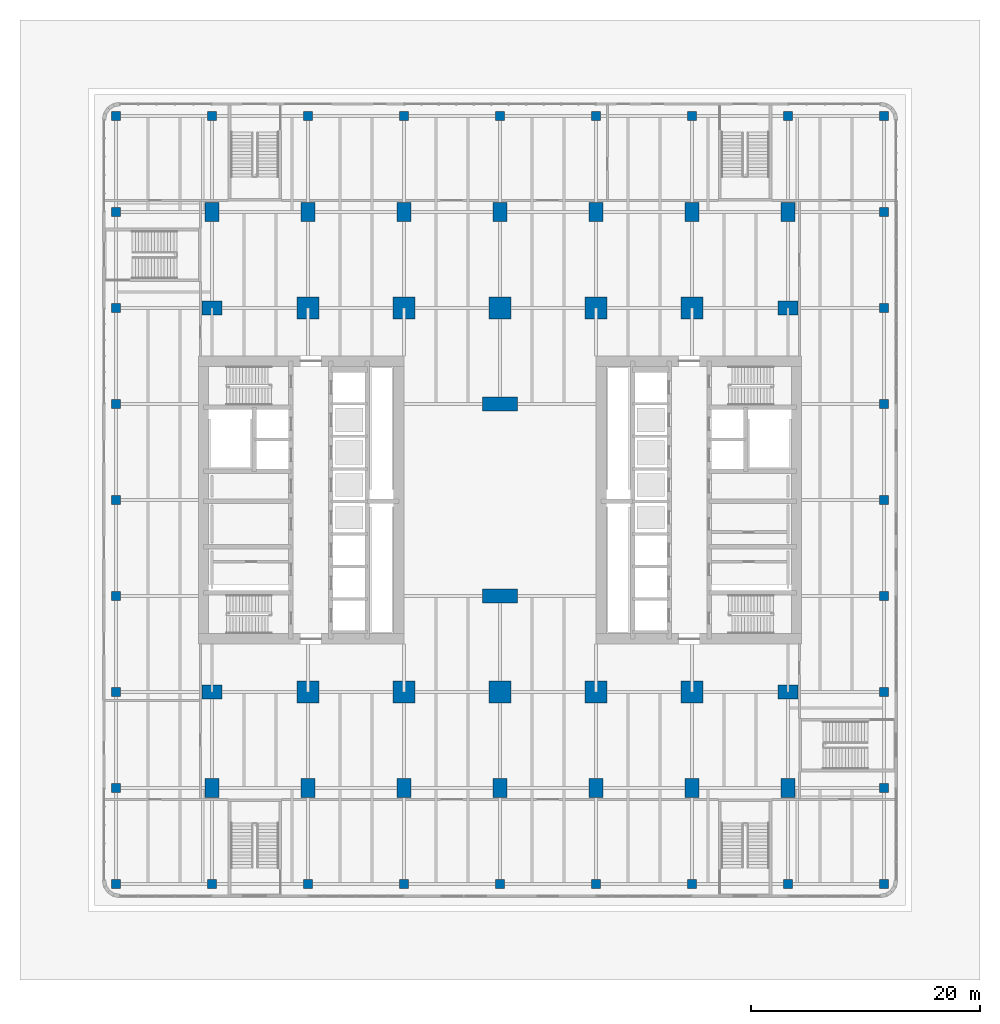
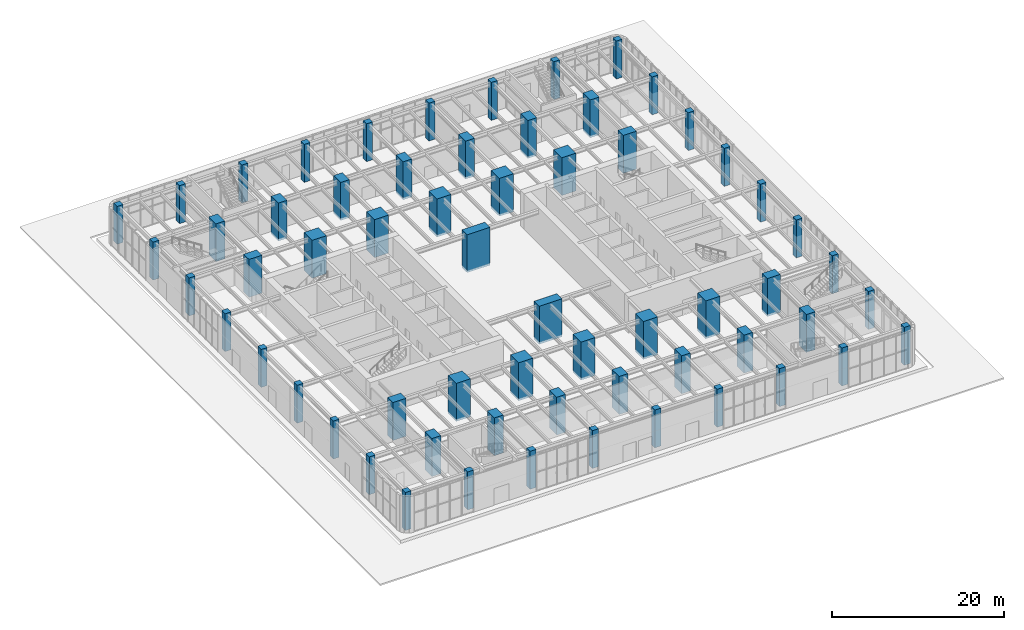
# One storey, part 1 of 31: 62 columns.
"""IFC4 building model written with IfcOpenShell, lengths in metres."""

from ifc_helpers import new_model, si_unit, direction, frame, origin, origin_2d, place, context, subcontext, project, spatial, rectangle, extrude, material, material_profile, profile_set, type_object, element, save


model = new_model("IFC4")

# Units and contexts
model_context = context("Model", 3, precision=1e-05, world=origin(), true_north=direction((0.0, 1.0)))
body_context = subcontext(model_context, "Body", "Model", "MODEL_VIEW")
ifc_project = project(units=[si_unit("LENGTHUNIT", "METRE"), si_unit("AREAUNIT", "SQUARE_METRE"), si_unit("VOLUMEUNIT", "CUBIC_METRE"), si_unit("PLANEANGLEUNIT", "RADIAN"), si_unit("MASSUNIT", "GRAM", prefix="KILO")], contexts=[model_context])

# Site, building, storey
site_placement = place(None, origin())
site = spatial("IfcSite", under=ifc_project, at=site_placement, CompositionType="ELEMENT")
building_placement = place(site_placement, origin())
building = spatial("IfcBuilding", under=site, at=building_placement, Name="Claustro Exchange Tower", CompositionType="ELEMENT")
storey_placement = place(building_placement, origin())
storey = spatial("IfcBuildingStorey", under=building, at=storey_placement, Name="L00", CompositionType="ELEMENT", Elevation=0.0)

# Columns
ifc_material_1 = material(Name="Concrete HA-70 (C70/85)", Category="concrete")
ifc_material_profile_1 = material_profile(ifc_material_1, rectangle(XDim=1.89990234375, YDim=1.89990234375, at=origin_2d()), Name="RC 1900x1900")
ifc_profile_set_1 = profile_set([ifc_material_profile_1], Name="Concrete HA-70 (C70/85)")
column_type_1 = type_object("IfcColumnType", Name="C13 RC 1900x1900 HA-70 column", PredefinedType="COLUMN", material=ifc_profile_set_1)
for number, where, z_axis, x_axis, name in (
    (1, (8.39990234375, 8.39990234375, 0.0), (0.0, 0.0, 1.0), (1.0, 0.0, 0.0), "Column C13 2/B L00"),
    (2, (8.39990234375, 42.0, 0.0), (0.0, 0.0, 1.0), (1.0, 0.0, 0.0), "Column C13 2/F L00"),
    (3, (16.800048828125, 8.39990234375, 0.0), (0.0, 0.0, 1.0), (1.0, 0.0, 0.0), "Column C13 3/B L00"),
    (4, (16.800048828125, 42.0, 0.0), (0.0, 0.0, 1.0), (1.0, 0.0, 0.0), "Column C13 3/F L00"),
    (5, (25.199951171875, 8.39990234375, 0.0), (0.0, 0.0, 1.0), (1.0, 0.0, 0.0), "Column C13 4/B L00"),
    (6, (25.199951171875, 42.0, 0.0), (0.0, 0.0, 1.0), (1.0, 0.0, 0.0), "Column C13 4/F L00"),
    (7, (33.60009765625, 8.39990234375, 0.0), (0.0, 0.0, 1.0), (1.0, 0.0, 0.0), "Column C13 5/B L00"),
    (8, (33.60009765625, 42.0, 0.0), (0.0, 0.0, 1.0), (1.0, 0.0, 0.0), "Column C13 5/F L00"),
    (9, (42.0, 8.39990234375, 0.0), (0.0, 0.0, 1.0), (1.0, 0.0, 0.0), "Column C13 6/B L00"),
    (10, (42.0, 42.0, 0.0), (0.0, 0.0, 1.0), (1.0, 0.0, 0.0), "Column C13 6/F L00"),
):
    element("IfcColumn", number, at=place(storey_placement, frame(where, z_axis=z_axis, x_axis=x_axis)), inside=storey, type_object=column_type_1, Name=name, PredefinedType="COLUMN", context=body_context, shape_type="SweptSolid", body=[
        extrude(rectangle(XDim=1.89990234375, YDim=1.89990234375, at=origin_2d()), origin(), (0.0, 0.0, 1.0), 5.39990234375),
    ])
ifc_material_2 = material(Name="Concrete HA-70 (C70/85)", Category="concrete")
ifc_material_profile_2 = material_profile(ifc_material_2, rectangle(XDim=1.199951171875, YDim=1.64990234375, at=origin_2d()), Name="RC 1200x1650")
ifc_profile_set_2 = profile_set([ifc_material_profile_2], Name="Concrete HA-70 (C70/85)")
column_type_2 = type_object("IfcColumnType", Name="C19 RC 1200x1650 HA-70 perimeter column", PredefinedType="COLUMN", material=ifc_profile_set_2)
for number, where, z_axis, x_axis, name in (
    (11, (0.0, 0.0, 0.0), (0.0, 0.0, 1.0), (1.0, 0.0, 0.0), "Column C19 1/A L00"),
    (12, (0.0, 50.39990234375, 0.0), (0.0, 0.0, 1.0), (1.0, 0.0, 0.0), "Column C19 1/G L00"),
    (13, (8.39990234375, 0.0, 0.0), (0.0, 0.0, 1.0), (1.0, 0.0, 0.0), "Column C19 2/A L00"),
    (14, (8.39990234375, 50.39990234375, 0.0), (0.0, 0.0, 1.0), (1.0, 0.0, 0.0), "Column C19 2/G L00"),
    (15, (16.800048828125, 0.0, 0.0), (0.0, 0.0, 1.0), (1.0, 0.0, 0.0), "Column C19 3/A L00"),
    (16, (16.800048828125, 50.39990234375, 0.0), (0.0, 0.0, 1.0), (1.0, 0.0, 0.0), "Column C19 3/G L00"),
    (17, (25.199951171875, 0.0, 0.0), (0.0, 0.0, 1.0), (1.0, 0.0, 0.0), "Column C19 4/A L00"),
    (18, (25.199951171875, 50.39990234375, 0.0), (0.0, 0.0, 1.0), (1.0, 0.0, 0.0), "Column C19 4/G L00"),
    (19, (33.60009765625, 0.0, 0.0), (0.0, 0.0, 1.0), (1.0, 0.0, 0.0), "Column C19 5/A L00"),
    (20, (33.60009765625, 50.39990234375, 0.0), (0.0, 0.0, 1.0), (1.0, 0.0, 0.0), "Column C19 5/G L00"),
    (21, (42.0, 0.0, 0.0), (0.0, 0.0, 1.0), (1.0, 0.0, 0.0), "Column C19 6/A L00"),
    (22, (42.0, 50.39990234375, 0.0), (0.0, 0.0, 1.0), (1.0, 0.0, 0.0), "Column C19 6/G L00"),
    (23, (50.39990234375, 0.0, 0.0), (0.0, 0.0, 1.0), (1.0, 0.0, 0.0), "Column C19 7/A L00"),
    (24, (50.39990234375, 50.39990234375, 0.0), (0.0, 0.0, 1.0), (1.0, 0.0, 0.0), "Column C19 7/G L00"),
):
    element("IfcColumn", number, at=place(storey_placement, frame(where, z_axis=z_axis, x_axis=x_axis)), inside=storey, type_object=column_type_2, Name=name, PredefinedType="COLUMN", context=body_context, shape_type="SweptSolid", body=[
        extrude(rectangle(XDim=1.199951171875, YDim=1.64990234375, at=origin_2d()), origin(), (0.0, 0.0, 1.0), 5.39990234375),
    ])
ifc_material_3 = material(Name="Concrete HA-70 (C70/85)", Category="concrete")
ifc_material_profile_3 = material_profile(ifc_material_3, rectangle(XDim=3.050048828125, YDim=1.199951171875, at=origin_2d()), Name="RC 3050x1200")
ifc_profile_set_3 = profile_set([ifc_material_profile_3], Name="Concrete HA-70 (C70/85)")
column_type_3 = type_object("IfcColumnType", Name="C29 RC 3050x1200 HA-70 light well column", PredefinedType="COLUMN", material=ifc_profile_set_3)
for number, where, z_axis, x_axis, name in (
    (25, (25.199951171875, 16.800048828125, 0.0), (0.0, 0.0, 1.0), (1.0, 0.0, 0.0), "Column C29 4/C L00"),
    (26, (25.199951171875, 33.60009765625, 0.0), (0.0, 0.0, 1.0), (1.0, 0.0, 0.0), "Column C29 4/E L00"),
):
    element("IfcColumn", number, at=place(storey_placement, frame(where, z_axis=z_axis, x_axis=x_axis)), inside=storey, type_object=column_type_3, Name=name, PredefinedType="COLUMN", context=body_context, shape_type="SweptSolid", body=[
        extrude(rectangle(XDim=3.050048828125, YDim=1.199951171875, at=origin_2d()), origin(), (0.0, 0.0, 1.0), 5.39990234375),
    ])
ifc_material_4 = material(Name="Concrete HA-50 (C50/60)", Category="concrete")
ifc_material_profile_4 = material_profile(ifc_material_4, rectangle(XDim=0.800048828125, YDim=0.800048828125, at=origin_2d()), Name="RC 800x800")
ifc_profile_set_4 = profile_set([ifc_material_profile_4], Name="Concrete HA-50 (C50/60)")
column_type_4 = type_object("IfcColumnType", Name="C4 RC 800x800 HA-50 column", PredefinedType="COLUMN", material=ifc_profile_set_4)
for number, where, z_axis, x_axis, name in (
    (27, (-8.39990234375, -8.39990234375, 0.0), (0.0, 0.0, 1.0), (1.0, 0.0, 0.0), "Column C4 1+-8400/A+-8400 L00"),
    (28, (-8.39990234375, 0.0, 0.0), (0.0, 0.0, 1.0), (1.0, 0.0, 0.0), "Column C4 1+-8400/A L00"),
    (29, (-8.39990234375, 8.39990234375, 0.0), (0.0, 0.0, 1.0), (1.0, 0.0, 0.0), "Column C4 1+-8400/B L00"),
    (30, (-8.39990234375, 16.800048828125, 0.0), (0.0, 0.0, 1.0), (1.0, 0.0, 0.0), "Column C4 1+-8400/C L00"),
    (31, (-8.39990234375, 25.199951171875, 0.0), (0.0, 0.0, 1.0), (1.0, 0.0, 0.0), "Column C4 1+-8400/D L00"),
    (32, (-8.39990234375, 33.60009765625, 0.0), (0.0, 0.0, 1.0), (1.0, 0.0, 0.0), "Column C4 1+-8400/E L00"),
    (33, (-8.39990234375, 42.0, 0.0), (0.0, 0.0, 1.0), (1.0, 0.0, 0.0), "Column C4 1+-8400/F L00"),
    (34, (-8.39990234375, 50.39990234375, 0.0), (0.0, 0.0, 1.0), (1.0, 0.0, 0.0), "Column C4 1+-8400/G L00"),
    (35, (-8.39990234375, 58.800048828125, 0.0), (0.0, 0.0, 1.0), (1.0, 0.0, 0.0), "Column C4 1+-8400/G+8400 L00"),
    (36, (0.0, -8.39990234375, 0.0), (0.0, 0.0, 1.0), (1.0, 0.0, 0.0), "Column C4 1/A+-8400 L00"),
    (37, (0.0, 58.800048828125, 0.0), (0.0, 0.0, 1.0), (1.0, 0.0, 0.0), "Column C4 1/G+8400 L00"),
    (38, (8.39990234375, -8.39990234375, 0.0), (0.0, 0.0, 1.0), (1.0, 0.0, 0.0), "Column C4 2/A+-8400 L00"),
    (39, (8.39990234375, 58.800048828125, 0.0), (0.0, 0.0, 1.0), (1.0, 0.0, 0.0), "Column C4 2/G+8400 L00"),
    (40, (16.800048828125, -8.39990234375, 0.0), (0.0, 0.0, 1.0), (1.0, 0.0, 0.0), "Column C4 3/A+-8400 L00"),
    (41, (16.800048828125, 58.800048828125, 0.0), (0.0, 0.0, 1.0), (1.0, 0.0, 0.0), "Column C4 3/G+8400 L00"),
    (42, (25.199951171875, -8.39990234375, 0.0), (0.0, 0.0, 1.0), (1.0, 0.0, 0.0), "Column C4 4/A+-8400 L00"),
    (43, (25.199951171875, 58.800048828125, 0.0), (0.0, 0.0, 1.0), (1.0, 0.0, 0.0), "Column C4 4/G+8400 L00"),
    (44, (33.60009765625, -8.39990234375, 0.0), (0.0, 0.0, 1.0), (1.0, 0.0, 0.0), "Column C4 5/A+-8400 L00"),
    (45, (33.60009765625, 58.800048828125, 0.0), (0.0, 0.0, 1.0), (1.0, 0.0, 0.0), "Column C4 5/G+8400 L00"),
    (46, (42.0, -8.39990234375, 0.0), (0.0, 0.0, 1.0), (1.0, 0.0, 0.0), "Column C4 6/A+-8400 L00"),
    (47, (42.0, 58.800048828125, 0.0), (0.0, 0.0, 1.0), (1.0, 0.0, 0.0), "Column C4 6/G+8400 L00"),
    (48, (50.39990234375, -8.39990234375, 0.0), (0.0, 0.0, 1.0), (1.0, 0.0, 0.0), "Column C4 7/A+-8400 L00"),
    (49, (50.39990234375, 58.800048828125, 0.0), (0.0, 0.0, 1.0), (1.0, 0.0, 0.0), "Column C4 7/G+8400 L00"),
    (50, (58.800048828125, -8.39990234375, 0.0), (0.0, 0.0, 1.0), (1.0, 0.0, 0.0), "Column C4 7+8400/A+-8400 L00"),
    (51, (58.800048828125, 0.0, 0.0), (0.0, 0.0, 1.0), (1.0, 0.0, 0.0), "Column C4 7+8400/A L00"),
    (52, (58.800048828125, 8.39990234375, 0.0), (0.0, 0.0, 1.0), (1.0, 0.0, 0.0), "Column C4 7+8400/B L00"),
    (53, (58.800048828125, 16.800048828125, 0.0), (0.0, 0.0, 1.0), (1.0, 0.0, 0.0), "Column C4 7+8400/C L00"),
    (54, (58.800048828125, 25.199951171875, 0.0), (0.0, 0.0, 1.0), (1.0, 0.0, 0.0), "Column C4 7+8400/D L00"),
    (55, (58.800048828125, 33.60009765625, 0.0), (0.0, 0.0, 1.0), (1.0, 0.0, 0.0), "Column C4 7+8400/E L00"),
    (56, (58.800048828125, 42.0, 0.0), (0.0, 0.0, 1.0), (1.0, 0.0, 0.0), "Column C4 7+8400/F L00"),
    (57, (58.800048828125, 50.39990234375, 0.0), (0.0, 0.0, 1.0), (1.0, 0.0, 0.0), "Column C4 7+8400/G L00"),
    (58, (58.800048828125, 58.800048828125, 0.0), (0.0, 0.0, 1.0), (1.0, 0.0, 0.0), "Column C4 7+8400/G+8400 L00"),
):
    element("IfcColumn", number, at=place(storey_placement, frame(where, z_axis=z_axis, x_axis=x_axis)), inside=storey, type_object=column_type_4, Name=name, PredefinedType="COLUMN", context=body_context, shape_type="SweptSolid", body=[
        extrude(rectangle(XDim=0.800048828125, YDim=0.800048828125, at=origin_2d()), origin(), (0.0, 0.0, 1.0), 5.39990234375),
    ])
ifc_material_5 = material(Name="Concrete HA-70 (C70/85)", Category="concrete")
ifc_material_profile_5 = material_profile(ifc_material_5, rectangle(XDim=1.25, YDim=1.75, at=origin_2d()), Name="RC 1250x1750")
ifc_profile_set_5 = profile_set([ifc_material_profile_5], Name="Concrete HA-70 (C70/85)")
column_type_5 = type_object("IfcColumnType", Name="C41 RC 1250x1750 HA-70 perimeter column", PredefinedType="COLUMN", material=ifc_profile_set_5)
for number, where, z_axis, x_axis, name in (
    (59, (0.0, 8.39990234375, 0.0), (0.0, 0.0, 1.0), (0.0, 1.0, 0.0), "Column C41 1/B L00"),
    (60, (0.0, 42.0, 0.0), (0.0, 0.0, 1.0), (0.0, 1.0, 0.0), "Column C41 1/F L00"),
    (61, (50.39990234375, 8.39990234375, 0.0), (0.0, 0.0, 1.0), (0.0, 1.0, 0.0), "Column C41 7/B L00"),
    (62, (50.39990234375, 42.0, 0.0), (0.0, 0.0, 1.0), (0.0, 1.0, 0.0), "Column C41 7/F L00"),
):
    element("IfcColumn", number, at=place(storey_placement, frame(where, z_axis=z_axis, x_axis=x_axis)), inside=storey, type_object=column_type_5, Name=name, PredefinedType="COLUMN", context=body_context, shape_type="SweptSolid", body=[
        extrude(rectangle(XDim=1.25, YDim=1.75, at=origin_2d()), origin(), (0.0, 0.0, 1.0), 5.39990234375),
    ])

save(model, "model.ifc")
